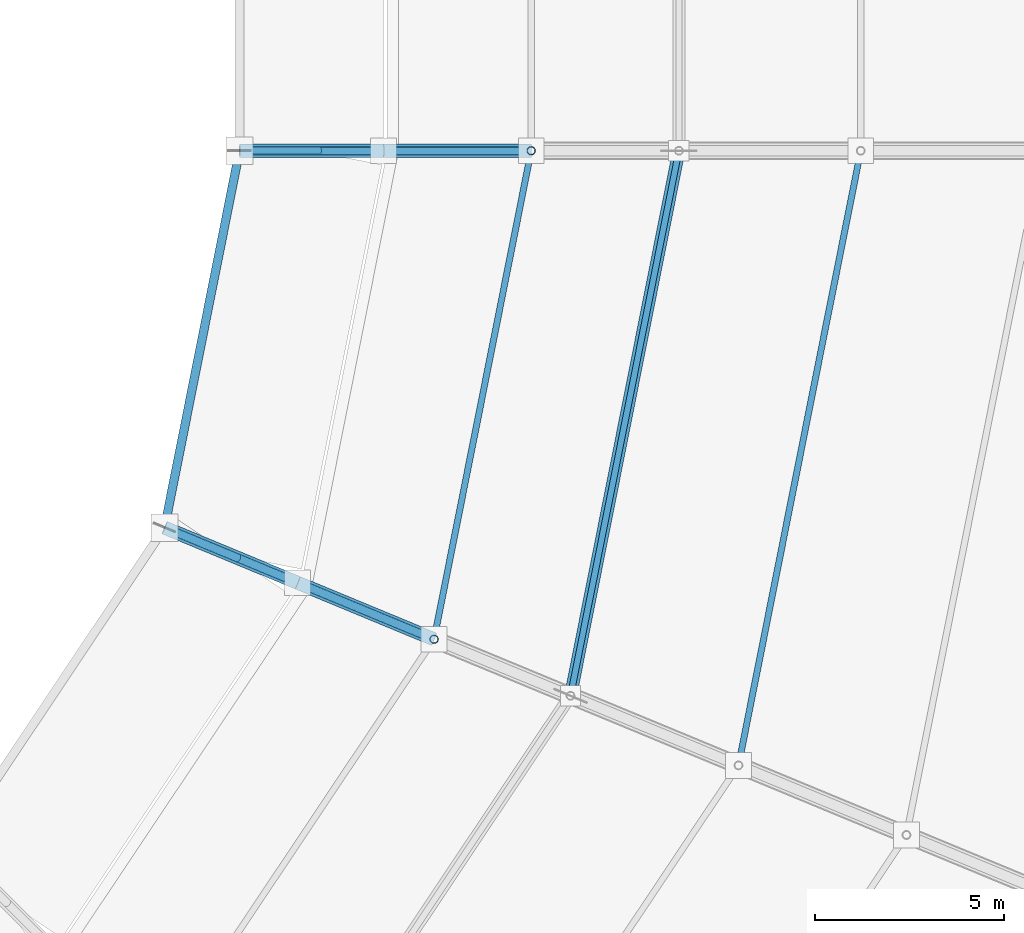
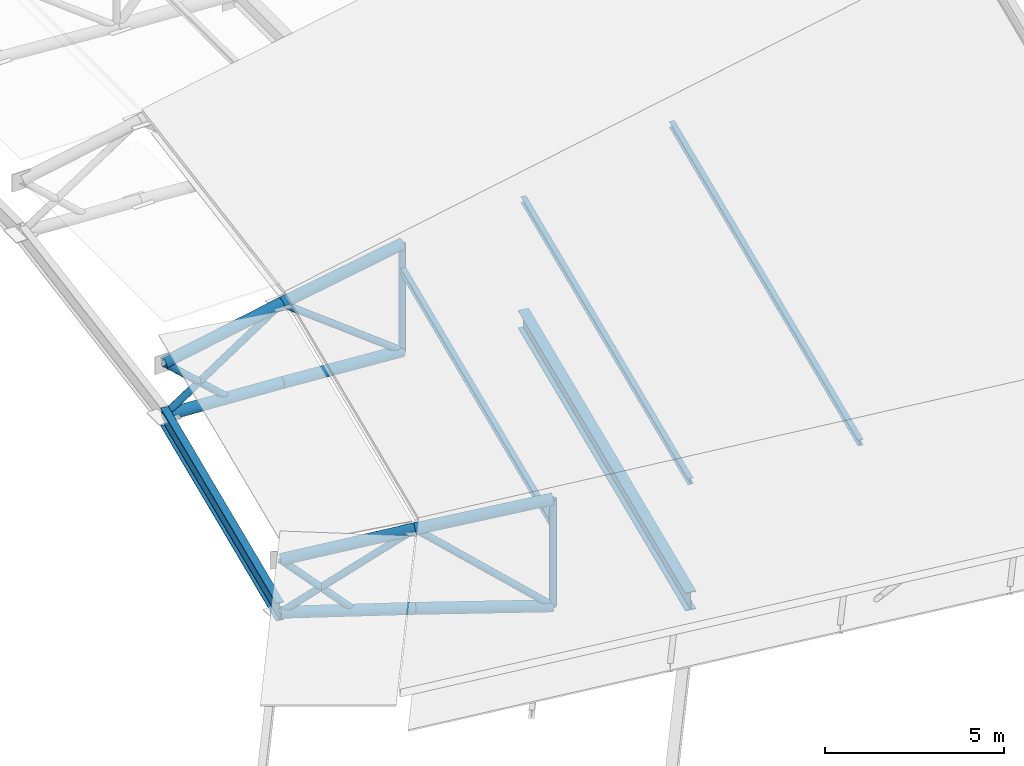
# One storey, part 70 of 146: 19 members, 2 beams.
"""IFC4 building model written with IfcOpenShell, lengths in metres."""

import ifcopenshell
import ifcopenshell.guid

model = None  # the IFC model being written
_history = None  # IfcOwnerHistory: only IFC2X3 demands one
_inside = {}  # id of a spatial element -> (the spatial element, [elements in it])
_under = {}  # id of a project, library or spatial element -> (it, [spatial elements below it])
_declared = {}  # id of a project -> (the project, [libraries it declares])
_typed = {}  # id of a type object -> (the type object, [elements of that type])
_made_of = {}  # id of a material, layer set ... -> (it, [elements and type objects made of it])


def new_model(schema):
    """Start an empty IFC model of exactly this schema.

    Asked for "IFC4X3", IfcOpenShell would pick the latest addendum, in which some entities
    have other attributes; the version numbers below select the first issue.
    IFC2X3 requires an IfcOwnerHistory on every rooted entity: one is made here for all.
    """
    global model, _history
    if schema == "IFC4X3":
        model = ifcopenshell.file(schema_version=(4, 3, 0, 0))
    else:
        model = ifcopenshell.file(schema=schema)
    _inside.clear()
    _under.clear()
    _declared.clear()
    _typed.clear()
    _made_of.clear()
    _history = None
    if model.schema == "IFC2X3":
        org = make("IfcOrganization", Name="unknown")
        user = make(
            "IfcPersonAndOrganization",
            ThePerson=make("IfcPerson", FamilyName="unknown"),
            TheOrganization=org,
        )
        app = make(
            "IfcApplication",
            ApplicationDeveloper=org,
            Version="unknown",
            ApplicationFullName="unknown",
            ApplicationIdentifier="unknown",
        )
        _history = make(
            "IfcOwnerHistory",
            OwningUser=user,
            OwningApplication=app,
            ChangeAction="ADDED",
            CreationDate=0,
        )
    return model


def make(cls, **values):
    """One entity of the class cls with the attributes given. An attribute that is None is left unset."""
    return model.create_entity(
        cls, **{name: value for name, value in values.items() if value is not None}
    )


def rooted(cls, **values):
    """An entity with a GlobalId (a new one), such as an element, a storey or a relation."""
    return make(cls, GlobalId=ifcopenshell.guid.new(), OwnerHistory=_history, **values)


def si_unit(unit_type, name, prefix=None):
    """IfcSIUnit, for example si_unit("LENGTHUNIT", "METRE", prefix="MILLI")."""
    return make("IfcSIUnit", UnitType=unit_type, Prefix=prefix, Name=name)


def assignment(units):
    """IfcUnitAssignment: the units of a project."""
    return None if units is None else make("IfcUnitAssignment", Units=units)


def point(xyz):
    """IfcCartesianPoint."""
    return None if xyz is None else make("IfcCartesianPoint", Coordinates=xyz)


def direction(xyz):
    """IfcDirection."""
    return None if xyz is None else make("IfcDirection", DirectionRatios=xyz)


def frame(location, z_axis=None, x_axis=None):
    """IfcAxis2Placement3D, a coordinate frame: its origin and axes. An axis left out is left unset."""
    return make(
        "IfcAxis2Placement3D",
        Location=point(location),
        Axis=direction(z_axis),
        RefDirection=direction(x_axis),
    )


def frame_2d(location, x_axis=None):
    """IfcAxis2Placement2D, a coordinate frame in the plane: its origin and x axis."""
    return make(
        "IfcAxis2Placement2D", Location=point(location), RefDirection=direction(x_axis)
    )


def origin():
    """The frame at (0, 0, 0) with its axes left unset."""
    return frame((0.0, 0.0, 0.0))


def origin_2d():
    """The frame at (0, 0) in the plane with its x axis left unset."""
    return frame_2d((0.0, 0.0))


def place(relative_to, where):
    """IfcLocalPlacement: puts the frame where relative to a parent placement (None: the world)."""
    return make(
        "IfcLocalPlacement", PlacementRelTo=relative_to, RelativePlacement=where
    )


def context(
    kind, dimensions, precision=None, world=None, true_north=None, identifier=None
):
    """IfcGeometricRepresentationContext, for example the 3D "Model" context."""
    return make(
        "IfcGeometricRepresentationContext",
        ContextIdentifier=identifier,
        ContextType=kind,
        CoordinateSpaceDimension=dimensions,
        Precision=precision,
        WorldCoordinateSystem=world,
        TrueNorth=true_north,
    )


def subcontext(parent, identifier, kind, view, scale=None):
    """IfcGeometricRepresentationSubContext, for example "Body" below "Model"."""
    return make(
        "IfcGeometricRepresentationSubContext",
        ContextIdentifier=identifier,
        ContextType=kind,
        ParentContext=parent,
        TargetScale=scale,
        TargetView=view,
    )


def project(units=None, contexts=None):
    """IfcProject with its units and contexts."""
    return rooted(
        "IfcProject",
        Name="project",
        RepresentationContexts=contexts,
        UnitsInContext=assignment(units),
    )


def spatial(cls, under=None, at=None, **own):
    """A site, building, storey or space (cls), placed at a placement, below another one or the project."""
    s = rooted(cls, ObjectPlacement=at, **own)
    if under is not None:
        _under.setdefault(under.id(), (under, []))[1].append(s)
    return s


def profile(cls, at=None, kind="AREA", **sizes):
    """A parametric profile (cls). Its sizes go by their IFC names, for example OverallWidth=200.0."""
    return make(cls, ProfileType=kind, Position=at, **sizes)


def hollow_circle(**sizes):
    """IfcCircleHollowProfileDef."""
    return profile("IfcCircleHollowProfileDef", **sizes)


def i_section(**sizes):
    """IfcIShapeProfileDef."""
    return profile("IfcIShapeProfileDef", **sizes)


def extrude(swept, where, along, depth):
    """IfcExtrudedAreaSolid: the profile swept, set in the frame where, extruded along a direction by depth."""
    return make(
        "IfcExtrudedAreaSolid",
        SweptArea=swept,
        Position=where,
        ExtrudedDirection=direction(along),
        Depth=depth,
    )


def shape(context_of_items, identifier, shape_type, items):
    """IfcShapeRepresentation: the items that make up one representation, for example the "Body"."""
    return make(
        "IfcShapeRepresentation",
        ContextOfItems=context_of_items,
        RepresentationIdentifier=identifier,
        RepresentationType=shape_type,
        Items=items,
    )


def material(Name=None, Category=None):
    """IfcMaterial."""
    return make("IfcMaterial", Name=Name, Category=Category)


def material_profile(
    of_material, cross_section, Name=None, Category=None, Priority=None
):
    """IfcMaterialProfile: a cross section and its material."""
    return make(
        "IfcMaterialProfile",
        Name=Name,
        Material=of_material,
        Profile=cross_section,
        Priority=Priority,
        Category=Category,
    )


def profile_set(profiles, Name=None, composite=None):
    """IfcMaterialProfileSet."""
    return make(
        "IfcMaterialProfileSet",
        Name=Name,
        MaterialProfiles=profiles,
        CompositeProfile=composite,
    )


def made_of(thing, what):
    """Note that an element or type object is made of a material, layer set ...; save() writes the relation."""
    if what is not None:
        _made_of.setdefault(what.id(), (what, []))[1].append(thing)
    return thing


def type_object(cls, material=None, **own):
    """A type object (cls), such as IfcWallType, which elements share."""
    return made_of(rooted(cls, **own), material)


def element(
    cls,
    number,
    at=None,
    inside=None,
    cuts=None,
    type_object=None,
    material=None,
    context=None,
    identifier="Body",
    shape_type=None,
    held_by="IfcProductDefinitionShape",
    body=None,
    shapes=None,
    **own,
):
    """One element of the class cls, such as IfcWall. Its Tag is "e" and its number.

    at: its placement. inside: the storey or other place that contains it. cuts: it is an
    opening in that element (IfcRelVoidsElement). A single representation is given by context,
    identifier, shape_type and body (its items); several are given by shapes. held_by: the class
    of the entity that holds the representations. save() writes the other relations.
    """
    e = rooted(cls, Tag="e%d" % number, ObjectPlacement=at, **own)
    if body is not None:
        shapes = [shape(context, identifier, shape_type, body)]
    if shapes is not None:
        e.Representation = make(held_by, Representations=shapes)
    if inside is not None:
        _inside.setdefault(inside.id(), (inside, []))[1].append(e)
    if cuts is not None:
        rooted(
            "IfcRelVoidsElement", RelatingBuildingElement=cuts, RelatedOpeningElement=e
        )
    if type_object is not None:
        _typed.setdefault(type_object.id(), (type_object, []))[1].append(e)
    return made_of(e, material)


def aggregate(whole, parts):
    """IfcRelAggregates: a whole, such as a stair, and the parts it consists of."""
    return rooted("IfcRelAggregates", RelatingObject=whole, RelatedObjects=parts)


def save(model, path):
    """Write the relations noted so far, then the file.

    IfcRelAggregates (storeys below a building ...), IfcRelContainedInSpatialStructure (elements
    in a storey), IfcRelDefinesByType, IfcRelAssociatesMaterial and IfcRelDeclares: one each for
    every whole, place, type object, material and project.
    """
    for whole, parts in _under.values():
        aggregate(whole, parts)
    for where, things in _inside.values():
        rooted(
            "IfcRelContainedInSpatialStructure",
            RelatedElements=things,
            RelatingStructure=where,
        )
    for kind, things in _typed.values():
        rooted("IfcRelDefinesByType", RelatedObjects=things, RelatingType=kind)
    for what, things in _made_of.values():
        rooted("IfcRelAssociatesMaterial", RelatedObjects=things, RelatingMaterial=what)
    for by, libraries in _declared.values():
        rooted("IfcRelDeclares", RelatingContext=by, RelatedDefinitions=libraries)
    model.write(path)


model = new_model("IFC4")

# Units and contexts
model_context = context("Model", 3, precision=1e-05, world=origin(), true_north=direction((0.0, 1.0)))
body_context = subcontext(model_context, "Body", "Model", "MODEL_VIEW")
ifc_project = project(units=[si_unit("LENGTHUNIT", "METRE"), si_unit("AREAUNIT", "SQUARE_METRE"), si_unit("VOLUMEUNIT", "CUBIC_METRE"), si_unit("PLANEANGLEUNIT", "RADIAN"), si_unit("MASSUNIT", "GRAM", prefix="KILO")], contexts=[model_context])

# Site, building, storey
site_placement = place(None, origin())
site = spatial("IfcSite", under=ifc_project, at=site_placement, CompositionType="ELEMENT")
building_placement = place(site_placement, origin())
building = spatial("IfcBuilding", under=site, at=building_placement, Name="Candeia Ridge Stadium", CompositionType="ELEMENT")
storey_placement = place(building_placement, frame((0.0, 0.0, 31.800048828125)))
storey = spatial("IfcBuildingStorey", under=building, at=storey_placement, Name="RF", CompositionType="ELEMENT", Elevation=31.800048828125)

# Beams
ifc_material = material(Name="Steel ASTM A572 Grade 50", Category="steel")
ifc_material_profile_1 = material_profile(ifc_material, i_section(OverallWidth=0.324951171875, OverallDepth=0.615966796875, WebThickness=0.013916015625, FlangeThickness=0.021484375, FilletRadius=0.014892578125, at=origin_2d()), Name="W610x174", Category="steel")
ifc_profile_set_1 = profile_set([ifc_material_profile_1], Name="Steel ASTM A572 Grade 50")
beam_type_1 = type_object("IfcBeamType", Name="Roof Compression Ring Beam W610x174", PredefinedType="BEAM", material=ifc_profile_set_1)
beam_1_placement = place(storey_placement, frame((175.74560546875, 56.650390625, -2.6640625), z_axis=(0.195102419364, 0.980782874014, 0.0), x_axis=(-0.980782874014, 0.195102419364, 0.0)))
element("IfcBeam", 1, at=beam_1_placement, inside=storey, type_object=beam_type_1, Name="Roof compression ring beam bay 29", PredefinedType="BEAM", context=body_context, shape_type="SweptSolid", body=[
    extrude(i_section(OverallWidth=0.324951171875, OverallDepth=0.615966796875, WebThickness=0.013916015625, FlangeThickness=0.021484375, FilletRadius=0.014892578125, at=origin_2d()), origin(), (0.0, 0.0, 1.0), 14.590576171875),
])
ifc_material_profile_2 = material_profile(ifc_material, i_section(OverallWidth=0.22998046875, OverallDepth=0.616943359375, WebThickness=0.01318359375, FlangeThickness=0.022216796875, FilletRadius=0.014892578125, at=origin_2d()), Name="W610x140", Category="steel")
ifc_profile_set_2 = profile_set([ifc_material_profile_2], Name="Steel ASTM A572 Grade 50")
beam_type_2 = type_object("IfcBeamType", Name="Roof Inner Tension Ring Beam W610x140", PredefinedType="BEAM", material=ifc_profile_set_2)
beam_2_placement = place(storey_placement, frame((165.028564453125, 61.08935546875, -1.9599609375), z_axis=(0.195099101337, 0.980783534047, 0.0), x_axis=(-0.980783534047, 0.195099101337, 0.0)))
element("IfcBeam", 2, at=beam_2_placement, inside=storey, type_object=beam_type_2, Name="Roof inner tension ring beam bay 29", PredefinedType="BEAM", context=body_context, shape_type="SweptSolid", body=[
    extrude(i_section(OverallWidth=0.22998046875, OverallDepth=0.616943359375, WebThickness=0.01318359375, FlangeThickness=0.022216796875, FilletRadius=0.014892578125, at=origin_2d()), origin(), (0.0, 0.0, 1.0), 10.064697265625),
])

# Members
ifc_material_profile_3 = material_profile(ifc_material, i_section(OverallWidth=0.1650390625, OverallDepth=0.200927734375, WebThickness=0.006103515625, FlangeThickness=0.01025390625, FilletRadius=0.010009765625, at=origin_2d()), Name="W200x35.9", Category="steel")
ifc_profile_set_3 = profile_set([ifc_material_profile_3], Name="Steel ASTM A572 Grade 50")
member_type_1 = type_object("IfcMemberType", Name="Roof Purlin W200x35.9", PredefinedType="PURLIN", material=ifc_profile_set_3)
member_1_placement = place(storey_placement, frame((172.14453125, 58.152587890625, 0.3544921875), z_axis=(0.195083408815, 0.980786655499, 0.0), x_axis=(-0.980786655499, 0.195083408815, 0.0)))
element("IfcMember", 3, at=member_1_placement, inside=storey, type_object=member_type_1, Name="Saddle roof steel purlin bay 29-1", PredefinedType="PURLIN", context=body_context, shape_type="SweptSolid", body=[
    extrude(i_section(OverallWidth=0.1650390625, OverallDepth=0.200927734375, WebThickness=0.006103515625, FlangeThickness=0.01025390625, FilletRadius=0.010009765625, at=origin_2d()), origin(), (0.0, 0.0, 1.0), 13.049072265625),
])
member_2_placement = place(storey_placement, frame((175.74755859375, 56.66015625, 1.416015625), z_axis=(0.195101033486, 0.980783149699, 0.0), x_axis=(-0.980783149699, 0.195101033486, 0.0)))
element("IfcMember", 4, at=member_2_placement, inside=storey, type_object=member_type_1, Name="Saddle roof steel purlin bay 29-2", PredefinedType="PURLIN", context=body_context, shape_type="SweptSolid", body=[
    extrude(i_section(OverallWidth=0.1650390625, OverallDepth=0.200927734375, WebThickness=0.006103515625, FlangeThickness=0.01025390625, FilletRadius=0.010009765625, at=origin_2d()), origin(), (0.0, 0.0, 1.0), 14.57080078125),
])
member_3_placement = place(storey_placement, frame((180.18212890625, 54.8232421875, 2.303955078125), z_axis=(0.195091006457, 0.980785144259, 0.0), x_axis=(-0.980785144259, 0.195091006457, 0.0)))
element("IfcMember", 5, at=member_3_placement, inside=storey, type_object=member_type_1, Name="Saddle roof steel purlin bay 29-3", PredefinedType="PURLIN", context=body_context, shape_type="SweptSolid", body=[
    extrude(i_section(OverallWidth=0.1650390625, OverallDepth=0.200927734375, WebThickness=0.006103515625, FlangeThickness=0.01025390625, FilletRadius=0.010009765625, at=origin_2d()), origin(), (0.0, 0.0, 1.0), 16.443603515625),
])
ifc_material_profile_4 = material_profile(ifc_material, hollow_circle(Radius=0.109619140625, WallThickness=0.010009765625, at=origin_2d()), Name="CHS219x10", Category="steel")
ifc_profile_set_4 = profile_set([ifc_material_profile_4], Name="Steel ASTM A572 Grade 50")
member_type_2 = type_object("IfcMemberType", Name="Roof Truss Inner Web Brace CHS219x10", PredefinedType="BRACE", material=ifc_profile_set_4)
member_4_placement = place(storey_placement, frame((165.020751953125, 61.05029296875, -1.9599609375), z_axis=(0.771543444646, -0.319616432528, 0.550060041343), x_axis=(0.382716826907, 0.923865699332, 0.0)))
element("IfcMember", 6, at=member_4_placement, inside=storey, type_object=member_type_2, Name="Roof cantilever truss RT-29 diagonal web 1", PredefinedType="BRACE", context=body_context, shape_type="SweptSolid", body=[
    extrude(hollow_circle(Radius=0.109619140625, WallThickness=0.010009765625, at=origin_2d()), origin(), (0.0, 0.0, 1.0), 4.55029296875),
])
member_5_placement = place(storey_placement, frame((168.531494140625, 59.595947265625, 0.54296875), z_axis=(0.73347834193, -0.303797893097, -0.608043059388), x_axis=(0.382663237128, 0.923887897394, 0.0)))
element("IfcMember", 7, at=member_5_placement, inside=storey, type_object=member_type_2, Name="Roof cantilever truss RT-29 diagonal web 2", PredefinedType="BRACE", context=body_context, shape_type="SweptSolid", body=[
    extrude(hollow_circle(Radius=0.109619140625, WallThickness=0.010009765625, at=origin_2d()), origin(), (0.0, 0.0, 1.0), 4.91259765625),
])
member_6_placement = place(storey_placement, frame((166.951904296875, 60.25048828125, -2.077880859375), z_axis=(-0.680781125618, 0.281951829017, 0.676047502115), x_axis=(-0.382640634603, -0.923897258763, 0.0)))
element("IfcMember", 8, at=member_6_placement, inside=storey, type_object=member_type_2, Name="Roof cantilever truss RT-29 vertical post 0", PredefinedType="BRACE", context=body_context, shape_type="SweptSolid", body=[
    extrude(hollow_circle(Radius=0.109619140625, WallThickness=0.010009765625, at=origin_2d()), origin(), (0.0, 0.0, 1.0), 2.836669921875),
])
member_7_placement = place(storey_placement, frame((172.134765625, 58.103515625, -2.444091796875), z_axis=(0.0, 0.0, 1.0), x_axis=(1.0, 0.0, 0.0)))
element("IfcMember", 9, at=member_7_placement, inside=storey, type_object=member_type_2, Name="Roof cantilever truss RT-29 vertical post 2", PredefinedType="BRACE", context=body_context, shape_type="SweptSolid", body=[
    extrude(hollow_circle(Radius=0.109619140625, WallThickness=0.010009765625, at=origin_2d()), origin(), (0.0, 0.0, 1.0), 3.658447265625),
])
member_8_placement = place(storey_placement, frame((167.0, 71.0, -1.9599609375), z_axis=(0.835124576935, 0.0, 0.550060852087), x_axis=(0.0, 1.0, 0.0)))
element("IfcMember", 10, at=member_8_placement, inside=storey, type_object=member_type_2, Name="Roof cantilever truss RT-30 diagonal web 1", PredefinedType="BRACE", context=body_context, shape_type="SweptSolid", body=[
    extrude(hollow_circle(Radius=0.109619140625, WallThickness=0.010009765625, at=origin_2d()), origin(), (0.0, 0.0, 1.0), 4.55029296875),
])
member_9_placement = place(storey_placement, frame((170.800048828125, 71.0, 0.54296875), z_axis=(0.793887844601, 0.0, -0.608064215519), x_axis=(0.0, 1.0, 0.0)))
element("IfcMember", 11, at=member_9_placement, inside=storey, type_object=member_type_2, Name="Roof cantilever truss RT-30 diagonal web 2", PredefinedType="BRACE", context=body_context, shape_type="SweptSolid", body=[
    extrude(hollow_circle(Radius=0.109619140625, WallThickness=0.010009765625, at=origin_2d()), origin(), (0.0, 0.0, 1.0), 4.912353515625),
])
member_10_placement = place(storey_placement, frame((169.090087890625, 71.0, -2.077880859375), z_axis=(-0.736836090738, 0.0, 0.676071427725), x_axis=(0.0, -1.0, 0.0)))
element("IfcMember", 12, at=member_10_placement, inside=storey, type_object=member_type_2, Name="Roof cantilever truss RT-30 vertical post 0", PredefinedType="BRACE", context=body_context, shape_type="SweptSolid", body=[
    extrude(hollow_circle(Radius=0.109619140625, WallThickness=0.010009765625, at=origin_2d()), origin(), (0.0, 0.0, 1.0), 2.836669921875),
])
member_11_placement = place(storey_placement, frame((174.699951171875, 71.0, -2.444091796875), z_axis=(0.0, 0.0, 1.0), x_axis=(1.0, 0.0, 0.0)))
element("IfcMember", 13, at=member_11_placement, inside=storey, type_object=member_type_2, Name="Roof cantilever truss RT-30 vertical post 2", PredefinedType="BRACE", context=body_context, shape_type="SweptSolid", body=[
    extrude(hollow_circle(Radius=0.109619140625, WallThickness=0.010009765625, at=origin_2d()), origin(), (0.0, 0.0, 1.0), 3.658447265625),
])
ifc_material_profile_5 = material_profile(ifc_material, hollow_circle(Radius=0.177734375, WallThickness=0.01416015625, at=origin_2d()), Name="CHS355x14", Category="steel")
ifc_profile_set_5 = profile_set([ifc_material_profile_5], Name="Steel ASTM A572 Grade 50")
member_type_3 = type_object("IfcMemberType", Name="Roof Truss Tip Chord CHS355x14", PredefinedType="CHORD", material=ifc_profile_set_5)
member_12_placement = place(storey_placement, frame((165.020751953125, 61.05029296875, -0.16015625), z_axis=(0.908445727744, -0.376329012529, 0.181941842552), x_axis=(0.382716826907, 0.923865699332, 0.0)))
element("IfcMember", 14, at=member_12_placement, inside=storey, type_object=member_type_3, Name="Roof cantilever truss RT-29 top chord 1", PredefinedType="CHORD", context=body_context, shape_type="SweptSolid", body=[
    extrude(hollow_circle(Radius=0.177734375, WallThickness=0.01416015625, at=origin_2d()), origin(), (0.0, 0.0, 1.0), 3.864501953125),
])
member_13_placement = place(storey_placement, frame((165.020751953125, 61.05029296875, -1.9599609375), z_axis=(0.922399365398, -0.382109389407, -0.056318959862), x_axis=(0.382716826907, 0.923865699332, 0.0)))
element("IfcMember", 15, at=member_13_placement, inside=storey, type_object=member_type_3, Name="Roof cantilever truss RT-29 bottom chord 1", PredefinedType="CHORD", context=body_context, shape_type="SweptSolid", body=[
    extrude(hollow_circle(Radius=0.177734375, WallThickness=0.01416015625, at=origin_2d()), origin(), (0.0, 0.0, 1.0), 3.80615234375),
])
member_14_placement = place(storey_placement, frame((168.531494140625, 59.595947265625, 0.54296875), z_axis=(0.91049558306, -0.377116301866, 0.169649898599), x_axis=(0.382663237128, 0.923887897394, 0.0)))
element("IfcMember", 16, at=member_14_placement, inside=storey, type_object=member_type_3, Name="Roof cantilever truss RT-29 top chord 2", PredefinedType="CHORD", context=body_context, shape_type="SweptSolid", body=[
    extrude(hollow_circle(Radius=0.177734375, WallThickness=0.01416015625, at=origin_2d()), origin(), (0.0, 0.0, 1.0), 3.95751953125),
])
member_15_placement = place(storey_placement, frame((168.531494140625, 59.595947265625, -2.17431640625), z_axis=(0.921685561894, -0.381751056295, -0.069006202717), x_axis=(0.382663237128, 0.923887897394, 0.0)))
element("IfcMember", 17, at=member_15_placement, inside=storey, type_object=member_type_3, Name="Roof cantilever truss RT-29 bottom chord 2", PredefinedType="CHORD", context=body_context, shape_type="SweptSolid", body=[
    extrude(hollow_circle(Radius=0.177734375, WallThickness=0.01416015625, at=origin_2d()), origin(), (0.0, 0.0, 1.0), 3.909423828125),
])
member_16_placement = place(storey_placement, frame((167.0, 71.0, -0.16015625), z_axis=(0.983309224326, 0.0, 0.181942214331), x_axis=(0.0, 1.0, 0.0)))
element("IfcMember", 18, at=member_16_placement, inside=storey, type_object=member_type_3, Name="Roof cantilever truss RT-30 top chord 1", PredefinedType="CHORD", context=body_context, shape_type="SweptSolid", body=[
    extrude(hollow_circle(Radius=0.177734375, WallThickness=0.01416015625, at=origin_2d()), origin(), (0.0, 0.0, 1.0), 3.864501953125),
])
member_17_placement = place(storey_placement, frame((167.0, 71.0, -1.9599609375), z_axis=(0.99841282113, 0.0, -0.056319078506), x_axis=(0.0, 1.0, 0.0)))
element("IfcMember", 19, at=member_17_placement, inside=storey, type_object=member_type_3, Name="Roof cantilever truss RT-30 bottom chord 1", PredefinedType="CHORD", context=body_context, shape_type="SweptSolid", body=[
    extrude(hollow_circle(Radius=0.177734375, WallThickness=0.01416015625, at=origin_2d()), origin(), (0.0, 0.0, 1.0), 3.80615234375),
])
member_18_placement = place(storey_placement, frame((170.800048828125, 71.0, 0.54296875), z_axis=(0.985502828795, 0.0, 0.169658994565), x_axis=(0.0, 1.0, 0.0)))
element("IfcMember", 20, at=member_18_placement, inside=storey, type_object=member_type_3, Name="Roof cantilever truss RT-30 top chord 2", PredefinedType="CHORD", context=body_context, shape_type="SweptSolid", body=[
    extrude(hollow_circle(Radius=0.177734375, WallThickness=0.01416015625, at=origin_2d()), origin(), (0.0, 0.0, 1.0), 3.957275390625),
])
member_19_placement = place(storey_placement, frame((170.800048828125, 71.0, -2.17431640625), z_axis=(0.997615968556, 0.0, -0.069009994069), x_axis=(0.0, 1.0, 0.0)))
element("IfcMember", 21, at=member_19_placement, inside=storey, type_object=member_type_3, Name="Roof cantilever truss RT-30 bottom chord 2", PredefinedType="CHORD", context=body_context, shape_type="SweptSolid", body=[
    extrude(hollow_circle(Radius=0.177734375, WallThickness=0.01416015625, at=origin_2d()), origin(), (0.0, 0.0, 1.0), 3.9091796875),
])

save(model, "model.ifc")
